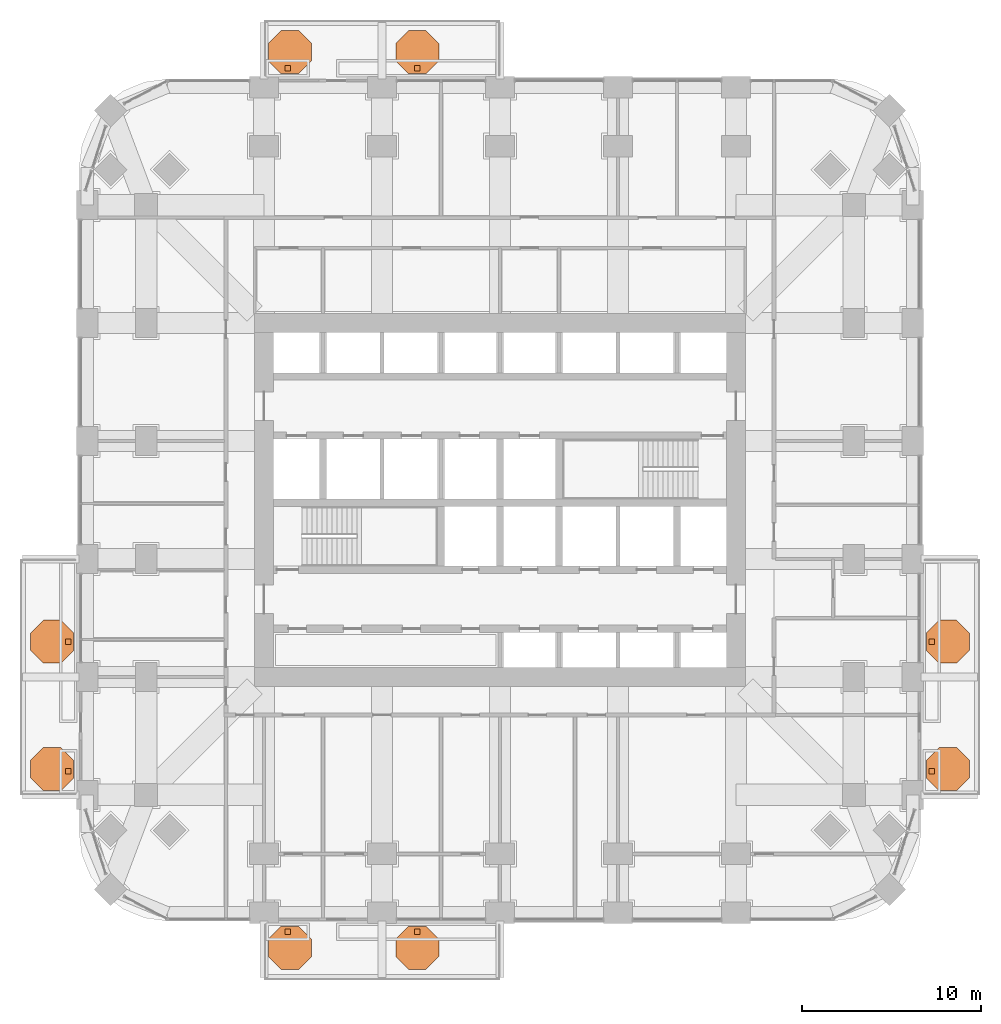
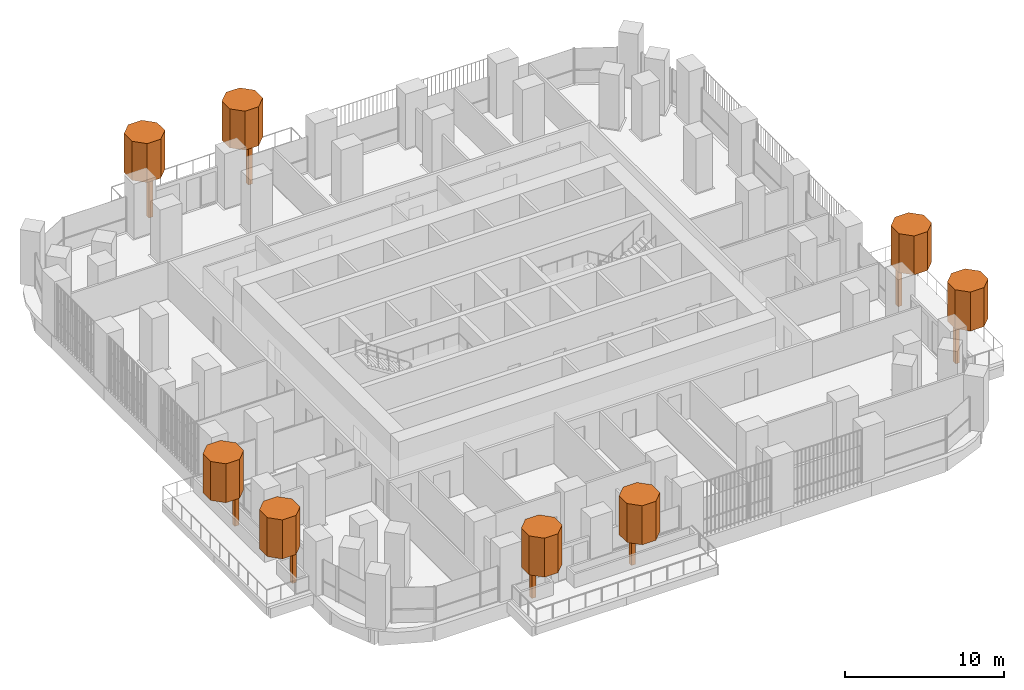
# One storey, part 21 of 21: 16 geographic elements.
"""IFC4 building model written with IfcOpenShell, lengths in metres."""

from ifc_helpers import new_model, si_unit, direction, frame, origin, origin_2d, place, context, subcontext, project, spatial, polyline, rectangle, outline, extrude, material, type_object, element, save


model = new_model("IFC4")

# Units and contexts
model_context = context("Model", 3, precision=1e-05, world=origin(), true_north=direction((0.0, 1.0)))
body_context = subcontext(model_context, "Body", "Model", "MODEL_VIEW")
ifc_project = project(units=[si_unit("LENGTHUNIT", "METRE"), si_unit("AREAUNIT", "SQUARE_METRE"), si_unit("VOLUMEUNIT", "CUBIC_METRE"), si_unit("PLANEANGLEUNIT", "RADIAN"), si_unit("MASSUNIT", "GRAM", prefix="KILO")], contexts=[model_context])

# Site, building, storey
site_placement = place(None, origin())
site = spatial("IfcSite", under=ifc_project, at=site_placement, CompositionType="ELEMENT")
building_placement = place(site_placement, origin())
building = spatial("IfcBuilding", under=site, at=building_placement, Name="Cobogo Forest Laboratory Tower", CompositionType="ELEMENT")
storey_placement = place(building_placement, frame((0.0, 0.0, 99.0)))
storey = spatial("IfcBuildingStorey", under=building, at=storey_placement, Name="L22", CompositionType="ELEMENT", Elevation=99.0)

# Geographic elements
ifc_material = material(Name="Planting", Category="plant")
geographic_element_type_1 = type_object("IfcGeographicElementType", Name="Tree trunk 300", PredefinedType="USERDEFINED", material=ifc_material)
for number, where, z_axis, x_axis, name in (
    (1, (14.52490234375, -1.050048828125, 0.0), (0.0, 0.0, 1.0), (1.0, 0.0, 0.0), "Tree trunk BAL-S1-PL1 L22"),
    (2, (21.77490234375, -1.050048828125, 0.0), (0.0, 0.0, 1.0), (1.0, 0.0, 0.0), "Tree trunk BAL-S1-PL2 L22"),
    (3, (50.550048828125, 7.925048828125, 0.0), (0.0, 0.0, 1.0), (1.0, 0.0, 0.0), "Tree trunk BAL-E1-PL1 L22"),
    (4, (50.550048828125, 15.175048828125, 0.0), (0.0, 0.0, 1.0), (1.0, 0.0, 0.0), "Tree trunk BAL-E1-PL2 L22"),
    (5, (14.52490234375, 47.25, 0.0), (0.0, 0.0, 1.0), (1.0, 0.0, 0.0), "Tree trunk BAL-N1-PL1 L22"),
    (6, (21.77490234375, 47.25, 0.0), (0.0, 0.0, 1.0), (1.0, 0.0, 0.0), "Tree trunk BAL-N1-PL2 L22"),
    (7, (2.25, 7.925048828125, 0.0), (0.0, 0.0, 1.0), (1.0, 0.0, 0.0), "Tree trunk BAL-W1-PL1 L22"),
    (8, (2.25, 15.175048828125, 0.0), (0.0, 0.0, 1.0), (1.0, 0.0, 0.0), "Tree trunk BAL-W1-PL2 L22"),
):
    element("IfcGeographicElement", number, at=place(storey_placement, frame(where, z_axis=z_axis, x_axis=x_axis)), inside=storey, type_object=geographic_element_type_1, Name=name, ObjectType="TREE TRUNK", PredefinedType="USERDEFINED", context=body_context, shape_type="SweptSolid", body=[
        extrude(rectangle(XDim=0.300048828125, YDim=0.300048828125, at=origin_2d()), origin(), (0.0, 0.0, 1.0), 2.89990234375),
    ])
geographic_element_type_2 = type_object("IfcGeographicElementType", Name="Tree, holm oak 5 m", PredefinedType="USERDEFINED", material=ifc_material)
geographic_element_1_placement = place(storey_placement, frame((0.0, 0.0, 2.89990234375)))
element("IfcGeographicElement", 9, at=geographic_element_1_placement, inside=storey, type_object=geographic_element_type_2, Name="Holm tree BAL-S1-PL1 L22", ObjectType="TREE", PredefinedType="USERDEFINED", context=body_context, shape_type="SweptSolid", body=[
    extrude(outline(polyline([(15.85009765625, -2.447021484375), (15.85009765625, -1.452880859375), (15.14697265625, -0.75), (14.15283203125, -0.75), (13.449951171875, -1.452880859375), (13.449951171875, -2.447021484375), (14.15283203125, -3.14990234375), (15.14697265625, -3.14990234375), (15.85009765625, -2.447021484375)])), origin(), (0.0, 0.0, 1.0), 3.0),
])
geographic_element_2_placement = place(storey_placement, frame((0.0, 0.0, 2.89990234375)))
element("IfcGeographicElement", 10, at=geographic_element_2_placement, inside=storey, type_object=geographic_element_type_2, Name="Holm tree BAL-S1-PL2 L22", ObjectType="TREE", PredefinedType="USERDEFINED", context=body_context, shape_type="SweptSolid", body=[
    extrude(outline(polyline([(22.97509765625, -2.447021484375), (22.97509765625, -1.452880859375), (22.27197265625, -0.75), (21.27783203125, -0.75), (20.574951171875, -1.452880859375), (20.574951171875, -2.447021484375), (21.27783203125, -3.14990234375), (22.27197265625, -3.14990234375), (22.97509765625, -2.447021484375)])), origin(), (0.0, 0.0, 1.0), 3.0),
])
geographic_element_3_placement = place(storey_placement, frame((0.0, 0.0, 2.89990234375)))
element("IfcGeographicElement", 11, at=geographic_element_3_placement, inside=storey, type_object=geographic_element_type_2, Name="Holm tree BAL-E1-PL1 L22", ObjectType="TREE", PredefinedType="USERDEFINED", context=body_context, shape_type="SweptSolid", body=[
    extrude(outline(polyline([(52.64990234375, 7.552978515625), (52.64990234375, 8.547119140625), (51.947021484375, 9.25), (50.952880859375, 9.25), (50.25, 8.547119140625), (50.25, 7.552978515625), (50.952880859375, 6.85009765625), (51.947021484375, 6.85009765625), (52.64990234375, 7.552978515625)])), origin(), (0.0, 0.0, 1.0), 3.0),
])
geographic_element_4_placement = place(storey_placement, frame((0.0, 0.0, 2.89990234375)))
element("IfcGeographicElement", 12, at=geographic_element_4_placement, inside=storey, type_object=geographic_element_type_2, Name="Holm tree BAL-E1-PL2 L22", ObjectType="TREE", PredefinedType="USERDEFINED", context=body_context, shape_type="SweptSolid", body=[
    extrude(outline(polyline([(52.64990234375, 14.677978515625), (52.64990234375, 15.672119140625), (51.947021484375, 16.375), (50.952880859375, 16.375), (50.25, 15.672119140625), (50.25, 14.677978515625), (50.952880859375, 13.97509765625), (51.947021484375, 13.97509765625), (52.64990234375, 14.677978515625)])), origin(), (0.0, 0.0, 1.0), 3.0),
])
geographic_element_5_placement = place(storey_placement, frame((0.0, 0.0, 2.89990234375)))
element("IfcGeographicElement", 13, at=geographic_element_5_placement, inside=storey, type_object=geographic_element_type_2, Name="Holm tree BAL-N1-PL1 L22", ObjectType="TREE", PredefinedType="USERDEFINED", context=body_context, shape_type="SweptSolid", body=[
    extrude(outline(polyline([(15.85009765625, 47.65283203125), (15.85009765625, 48.64697265625), (15.14697265625, 49.35009765625), (14.15283203125, 49.35009765625), (13.449951171875, 48.64697265625), (13.449951171875, 47.65283203125), (14.15283203125, 46.949951171875), (15.14697265625, 46.949951171875), (15.85009765625, 47.65283203125)])), origin(), (0.0, 0.0, 1.0), 3.0),
])
geographic_element_6_placement = place(storey_placement, frame((0.0, 0.0, 2.89990234375)))
element("IfcGeographicElement", 14, at=geographic_element_6_placement, inside=storey, type_object=geographic_element_type_2, Name="Holm tree BAL-N1-PL2 L22", ObjectType="TREE", PredefinedType="USERDEFINED", context=body_context, shape_type="SweptSolid", body=[
    extrude(outline(polyline([(22.97509765625, 47.65283203125), (22.97509765625, 48.64697265625), (22.27197265625, 49.35009765625), (21.27783203125, 49.35009765625), (20.574951171875, 48.64697265625), (20.574951171875, 47.65283203125), (21.27783203125, 46.949951171875), (22.27197265625, 46.949951171875), (22.97509765625, 47.65283203125)])), origin(), (0.0, 0.0, 1.0), 3.0),
])
geographic_element_7_placement = place(storey_placement, frame((0.0, 0.0, 2.89990234375)))
element("IfcGeographicElement", 15, at=geographic_element_7_placement, inside=storey, type_object=geographic_element_type_2, Name="Holm tree BAL-W1-PL1 L22", ObjectType="TREE", PredefinedType="USERDEFINED", context=body_context, shape_type="SweptSolid", body=[
    extrude(outline(polyline([(2.550048828125, 7.552978515625), (2.550048828125, 8.547119140625), (1.84716796875, 9.25), (0.85302734375, 9.25), (0.14990234375, 8.547119140625), (0.14990234375, 7.552978515625), (0.85302734375, 6.85009765625), (1.84716796875, 6.85009765625), (2.550048828125, 7.552978515625)])), origin(), (0.0, 0.0, 1.0), 3.0),
])
geographic_element_8_placement = place(storey_placement, frame((0.0, 0.0, 2.89990234375)))
element("IfcGeographicElement", 16, at=geographic_element_8_placement, inside=storey, type_object=geographic_element_type_2, Name="Holm tree BAL-W1-PL2 L22", ObjectType="TREE", PredefinedType="USERDEFINED", context=body_context, shape_type="SweptSolid", body=[
    extrude(outline(polyline([(2.550048828125, 14.677978515625), (2.550048828125, 15.672119140625), (1.84716796875, 16.375), (0.85302734375, 16.375), (0.14990234375, 15.672119140625), (0.14990234375, 14.677978515625), (0.85302734375, 13.97509765625), (1.84716796875, 13.97509765625), (2.550048828125, 14.677978515625)])), origin(), (0.0, 0.0, 1.0), 3.0),
])

save(model, "model.ifc")
